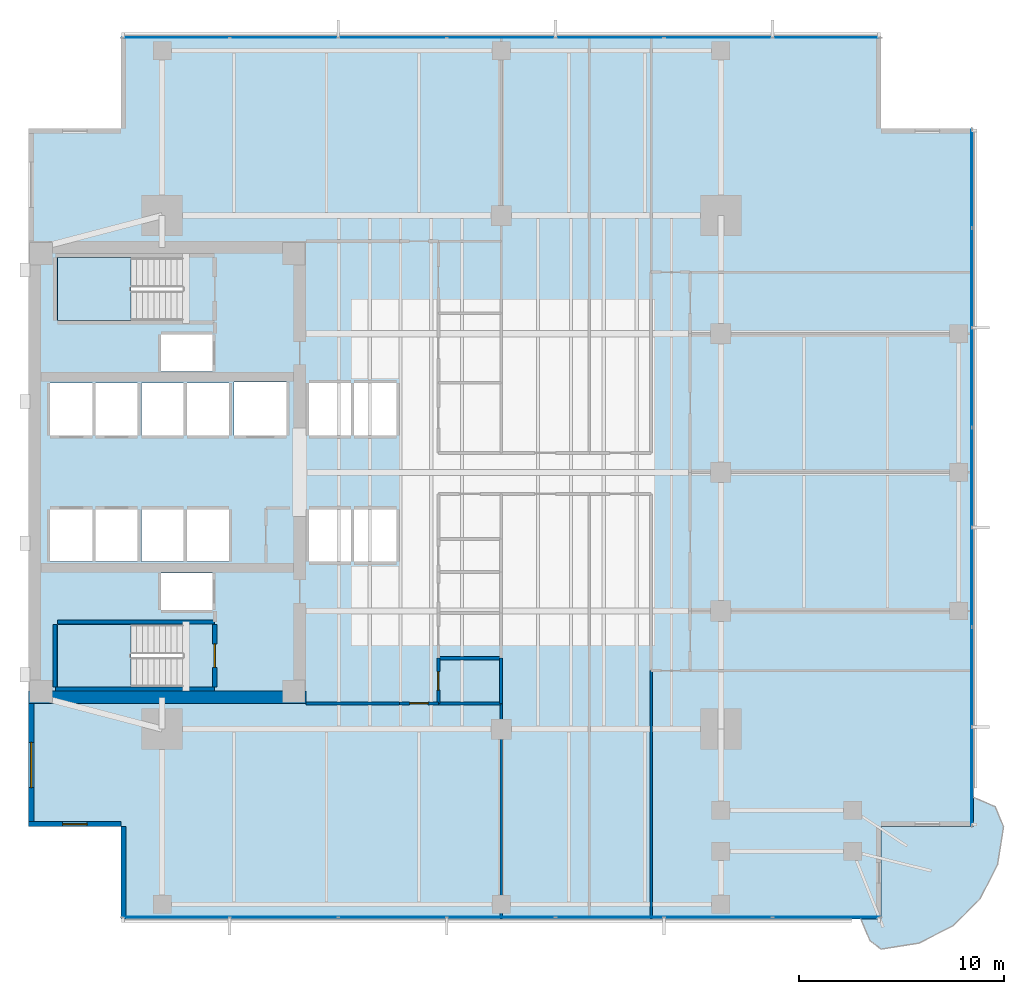
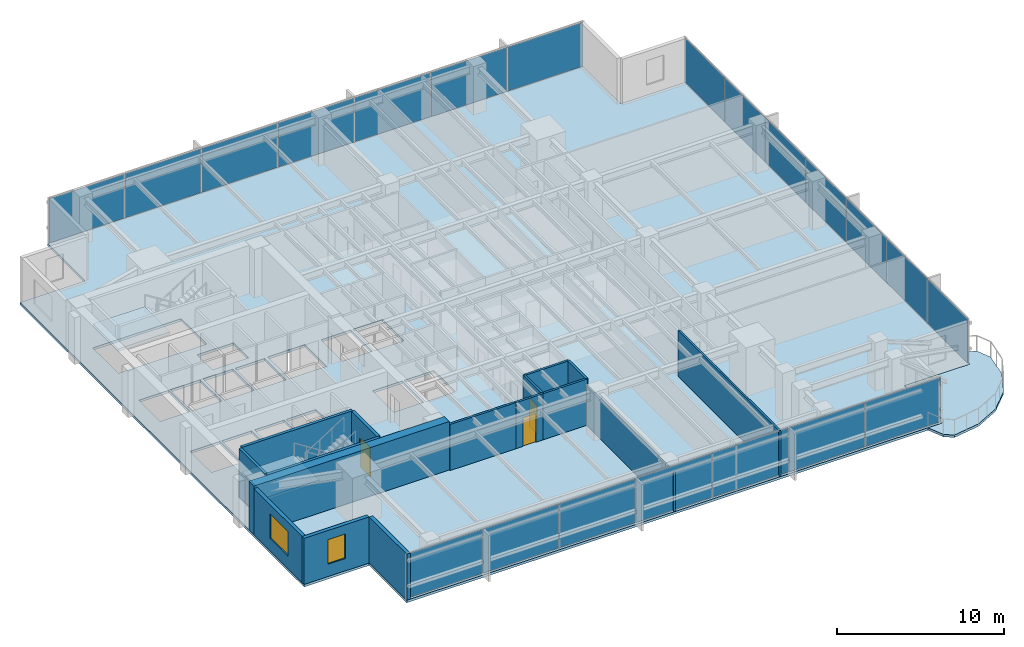
# One storey, part 7 of 14: 21 plates, 16 walls, 4 slabs, 3 doors, 2 windows, 5 openings, 5 elements without a shape of their own.
"""IFC4 building model written with IfcOpenShell, lengths in metres."""

from ifc_helpers import new_model, si_unit, direction, frame, frame_2d, origin, origin_2d, place, context, subcontext, project, spatial, polyline, rectangle, outline, extrude, material, layer, layer_set, type_object, element, fill, aggregate, save


model = new_model("IFC4")

# Units and contexts
model_context = context("Model", 3, precision=1e-05, world=origin(), true_north=direction((0.0, 1.0)))
body_context = subcontext(model_context, "Body", "Model", "MODEL_VIEW")
ifc_project = project(units=[si_unit("LENGTHUNIT", "METRE"), si_unit("AREAUNIT", "SQUARE_METRE"), si_unit("VOLUMEUNIT", "CUBIC_METRE"), si_unit("PLANEANGLEUNIT", "RADIAN"), si_unit("MASSUNIT", "GRAM", prefix="KILO")], contexts=[model_context])

# Site, building, storey
site_placement = place(None, origin())
site = spatial("IfcSite", under=ifc_project, at=site_placement, CompositionType="ELEMENT")
building_placement = place(site_placement, origin())
building = spatial("IfcBuilding", under=site, at=building_placement, Name="Kinhvarn Gate Tower", CompositionType="ELEMENT")
storey_placement = place(building_placement, frame((0.0, 0.0, 102.25)))
storey = spatial("IfcBuildingStorey", under=building, at=storey_placement, Name="L26", CompositionType="ELEMENT", Elevation=102.25)

# Curtain wall, plates
ifc_material_1 = material(Name="Anodised aluminium AW-6063", Category="aluminium")
ifc_layer_1 = layer(ifc_material_1, 0.179931640625)
ifc_layer_set_1 = layer_set([ifc_layer_1], Name="Anodised aluminium AW-6063")
curtain_wall_type = type_object("IfcCurtainWallType", Name="CW-SYS-3", PredefinedType="NOTDEFINED", material=ifc_layer_set_1)
curtain_wall_1_placement = place(storey_placement, origin())
curtain_wall_1 = element("IfcCurtainWall", 1, at=curtain_wall_1_placement, inside=storey, type_object=curtain_wall_type, Name="Curtain Wall CW3 (L26)", PredefinedType="NOTDEFINED")
ifc_material_2 = material(Name="Clear low-e double glazing", Category="glass")
ifc_layer_2 = layer(ifc_material_2, 0.031982421875)
ifc_layer_set_2 = layer_set([ifc_layer_2], Name="Clear low-e double glazing")
plate_type = type_object("IfcPlateType", Name="CW-PNL-VIS", PredefinedType="CURTAIN_PANEL", material=ifc_layer_set_2)
plate_1_placement = place(storey_placement, frame((11.6591796875, 3.590087890625, 0.070068359375), z_axis=(0.0, 0.0, 1.0), x_axis=(1.0, 0.0, 0.0)))
plate_1 = element("IfcPlate", 2, at=plate_1_placement, type_object=plate_type, Name="CW3 panel 1.1", PredefinedType="CURTAIN_PANEL", context=body_context, shape_type="SweptSolid", body=[
    extrude(rectangle(XDim=5.188232421875, YDim=0.031982421875, at=origin_2d()), origin(), (0.0, 0.0, 1.0), 3.22998046875),
])
plate_2_placement = place(storey_placement, frame((16.928466796875, 3.590087890625, 0.070068359375), z_axis=(0.0, 0.0, 1.0), x_axis=(1.0, 0.0, 0.0)))
plate_2 = element("IfcPlate", 3, at=plate_2_placement, type_object=plate_type, Name="CW3 panel 2.1", PredefinedType="CURTAIN_PANEL", context=body_context, shape_type="SweptSolid", body=[
    extrude(rectangle(XDim=5.220703125, YDim=0.031982421875, at=origin_2d()), origin(), (0.0, 0.0, 1.0), 3.22998046875),
])
plate_3_placement = place(storey_placement, frame((22.21435546875, 3.590087890625, 0.070068359375), z_axis=(0.0, 0.0, 1.0), x_axis=(1.0, 0.0, 0.0)))
plate_3 = element("IfcPlate", 4, at=plate_3_placement, type_object=plate_type, Name="CW3 panel 3.1", PredefinedType="CURTAIN_PANEL", context=body_context, shape_type="SweptSolid", body=[
    extrude(rectangle(XDim=5.220703125, YDim=0.031982421875, at=origin_2d()), origin(), (0.0, 0.0, 1.0), 3.22998046875),
])
plate_4_placement = place(storey_placement, frame((27.5, 3.590087890625, 0.070068359375), z_axis=(0.0, 0.0, 1.0), x_axis=(1.0, 0.0, 0.0)))
plate_4 = element("IfcPlate", 5, at=plate_4_placement, type_object=plate_type, Name="CW3 panel 4.1", PredefinedType="CURTAIN_PANEL", context=body_context, shape_type="SweptSolid", body=[
    extrude(rectangle(XDim=5.220703125, YDim=0.031982421875, at=origin_2d()), origin(), (0.0, 0.0, 1.0), 3.22998046875),
])
plate_5_placement = place(storey_placement, frame((32.78564453125, 3.590087890625, 0.070068359375), z_axis=(0.0, 0.0, 1.0), x_axis=(1.0, 0.0, 0.0)))
plate_5 = element("IfcPlate", 6, at=plate_5_placement, type_object=plate_type, Name="CW3 panel 5.1", PredefinedType="CURTAIN_PANEL", context=body_context, shape_type="SweptSolid", body=[
    extrude(rectangle(XDim=5.220703125, YDim=0.031982421875, at=origin_2d()), origin(), (0.0, 0.0, 1.0), 3.22998046875),
])
plate_6_placement = place(storey_placement, frame((38.071533203125, 3.590087890625, 0.070068359375), z_axis=(0.0, 0.0, 1.0), x_axis=(1.0, 0.0, 0.0)))
plate_6 = element("IfcPlate", 7, at=plate_6_placement, type_object=plate_type, Name="CW3 panel 6.1", PredefinedType="CURTAIN_PANEL", context=body_context, shape_type="SweptSolid", body=[
    extrude(rectangle(XDim=5.220703125, YDim=0.031982421875, at=origin_2d()), origin(), (0.0, 0.0, 1.0), 3.22998046875),
])
plate_7_placement = place(storey_placement, frame((43.3408203125, 3.590087890625, 0.070068359375), z_axis=(0.0, 0.0, 1.0), x_axis=(1.0, 0.0, 0.0)))
plate_7 = element("IfcPlate", 8, at=plate_7_placement, type_object=plate_type, Name="CW3 panel 7.1", PredefinedType="CURTAIN_PANEL", context=body_context, shape_type="SweptSolid", body=[
    extrude(rectangle(XDim=5.188232421875, YDim=0.031982421875, at=origin_2d()), origin(), (0.0, 0.0, 1.0), 3.22998046875),
])
aggregate(curtain_wall_1, [plate_1, plate_2, plate_3, plate_4, plate_5, plate_6, plate_7])

curtain_wall_2_placement = place(storey_placement, origin())
curtain_wall_2 = element("IfcCurtainWall", 9, at=curtain_wall_2_placement, inside=storey, type_object=curtain_wall_type, Name="Curtain Wall CW3 (L26)", PredefinedType="NOTDEFINED")
plate_8_placement = place(storey_placement, frame((43.3408203125, 46.409912109375, 0.070068359375), z_axis=(0.0, 0.0, 1.0), x_axis=(-1.0, 0.0, 0.0)))
plate_8 = element("IfcPlate", 10, at=plate_8_placement, type_object=plate_type, Name="CW3 panel 1.1", PredefinedType="CURTAIN_PANEL", context=body_context, shape_type="SweptSolid", body=[
    extrude(rectangle(XDim=5.188232421875, YDim=0.031982421875, at=origin_2d()), origin(), (0.0, 0.0, 1.0), 3.22998046875),
])
plate_9_placement = place(storey_placement, frame((38.071533203125, 46.409912109375, 0.070068359375), z_axis=(0.0, 0.0, 1.0), x_axis=(-1.0, 0.0, 0.0)))
plate_9 = element("IfcPlate", 11, at=plate_9_placement, type_object=plate_type, Name="CW3 panel 2.1", PredefinedType="CURTAIN_PANEL", context=body_context, shape_type="SweptSolid", body=[
    extrude(rectangle(XDim=5.220703125, YDim=0.031982421875, at=origin_2d()), origin(), (0.0, 0.0, 1.0), 3.22998046875),
])
plate_10_placement = place(storey_placement, frame((32.78564453125, 46.409912109375, 0.070068359375), z_axis=(0.0, 0.0, 1.0), x_axis=(-1.0, 0.0, 0.0)))
plate_10 = element("IfcPlate", 12, at=plate_10_placement, type_object=plate_type, Name="CW3 panel 3.1", PredefinedType="CURTAIN_PANEL", context=body_context, shape_type="SweptSolid", body=[
    extrude(rectangle(XDim=5.220703125, YDim=0.031982421875, at=origin_2d()), origin(), (0.0, 0.0, 1.0), 3.22998046875),
])
plate_11_placement = place(storey_placement, frame((27.5, 46.409912109375, 0.070068359375), z_axis=(0.0, 0.0, 1.0), x_axis=(-1.0, 0.0, 0.0)))
plate_11 = element("IfcPlate", 13, at=plate_11_placement, type_object=plate_type, Name="CW3 panel 4.1", PredefinedType="CURTAIN_PANEL", context=body_context, shape_type="SweptSolid", body=[
    extrude(rectangle(XDim=5.220703125, YDim=0.031982421875, at=origin_2d()), origin(), (0.0, 0.0, 1.0), 3.22998046875),
])
plate_12_placement = place(storey_placement, frame((22.21435546875, 46.409912109375, 0.070068359375), z_axis=(0.0, 0.0, 1.0), x_axis=(-1.0, 0.0, 0.0)))
plate_12 = element("IfcPlate", 14, at=plate_12_placement, type_object=plate_type, Name="CW3 panel 5.1", PredefinedType="CURTAIN_PANEL", context=body_context, shape_type="SweptSolid", body=[
    extrude(rectangle(XDim=5.220703125, YDim=0.031982421875, at=origin_2d()), origin(), (0.0, 0.0, 1.0), 3.22998046875),
])
plate_13_placement = place(storey_placement, frame((16.928466796875, 46.409912109375, 0.070068359375), z_axis=(0.0, 0.0, 1.0), x_axis=(-1.0, 0.0, 0.0)))
plate_13 = element("IfcPlate", 15, at=plate_13_placement, type_object=plate_type, Name="CW3 panel 6.1", PredefinedType="CURTAIN_PANEL", context=body_context, shape_type="SweptSolid", body=[
    extrude(rectangle(XDim=5.220703125, YDim=0.031982421875, at=origin_2d()), origin(), (0.0, 0.0, 1.0), 3.22998046875),
])
plate_14_placement = place(storey_placement, frame((11.6591796875, 46.409912109375, 0.070068359375), z_axis=(0.0, 0.0, 1.0), x_axis=(-1.0, 0.0, 0.0)))
plate_14 = element("IfcPlate", 16, at=plate_14_placement, type_object=plate_type, Name="CW3 panel 7.1", PredefinedType="CURTAIN_PANEL", context=body_context, shape_type="SweptSolid", body=[
    extrude(rectangle(XDim=5.188232421875, YDim=0.031982421875, at=origin_2d()), origin(), (0.0, 0.0, 1.0), 3.22998046875),
])
aggregate(curtain_wall_2, [plate_8, plate_9, plate_10, plate_11, plate_12, plate_13, plate_14])

curtain_wall_3_placement = place(storey_placement, origin())
curtain_wall_3 = element("IfcCurtainWall", 17, at=curtain_wall_3_placement, inside=storey, type_object=curtain_wall_type, Name="Curtain Wall CW3 (L26)", PredefinedType="NOTDEFINED")
plate_15_placement = place(storey_placement, frame((50.409912109375, 10.44482421875, 0.070068359375), z_axis=(0.0, 0.0, 1.0), x_axis=(0.0, 1.0, 0.0)))
plate_15 = element("IfcPlate", 18, at=plate_15_placement, type_object=plate_type, Name="CW3 panel 1.1", PredefinedType="CURTAIN_PANEL", context=body_context, shape_type="SweptSolid", body=[
    extrude(rectangle(XDim=4.759521484375, YDim=0.031982421875, at=origin_2d()), origin(), (0.0, 0.0, 1.0), 3.22998046875),
])
plate_16_placement = place(storey_placement, frame((50.409912109375, 15.28564453125, 0.070068359375), z_axis=(0.0, 0.0, 1.0), x_axis=(0.0, 1.0, 0.0)))
plate_16 = element("IfcPlate", 19, at=plate_16_placement, type_object=plate_type, Name="CW3 panel 2.1", PredefinedType="CURTAIN_PANEL", context=body_context, shape_type="SweptSolid", body=[
    extrude(rectangle(XDim=4.792236328125, YDim=0.031982421875, at=origin_2d()), origin(), (0.0, 0.0, 1.0), 3.22998046875),
])
plate_17_placement = place(storey_placement, frame((50.409912109375, 20.142822265625, 0.070068359375), z_axis=(0.0, 0.0, 1.0), x_axis=(0.0, 1.0, 0.0)))
plate_17 = element("IfcPlate", 20, at=plate_17_placement, type_object=plate_type, Name="CW3 panel 3.1", PredefinedType="CURTAIN_PANEL", context=body_context, shape_type="SweptSolid", body=[
    extrude(rectangle(XDim=4.792236328125, YDim=0.031982421875, at=origin_2d()), origin(), (0.0, 0.0, 1.0), 3.22998046875),
])
plate_18_placement = place(storey_placement, frame((50.409912109375, 25.0, 0.070068359375), z_axis=(0.0, 0.0, 1.0), x_axis=(0.0, 1.0, 0.0)))
plate_18 = element("IfcPlate", 21, at=plate_18_placement, type_object=plate_type, Name="CW3 panel 4.1", PredefinedType="CURTAIN_PANEL", context=body_context, shape_type="SweptSolid", body=[
    extrude(rectangle(XDim=4.792236328125, YDim=0.031982421875, at=origin_2d()), origin(), (0.0, 0.0, 1.0), 3.22998046875),
])
plate_19_placement = place(storey_placement, frame((50.409912109375, 29.857177734375, 0.070068359375), z_axis=(0.0, 0.0, 1.0), x_axis=(0.0, 1.0, 0.0)))
plate_19 = element("IfcPlate", 22, at=plate_19_placement, type_object=plate_type, Name="CW3 panel 5.1", PredefinedType="CURTAIN_PANEL", context=body_context, shape_type="SweptSolid", body=[
    extrude(rectangle(XDim=4.792236328125, YDim=0.031982421875, at=origin_2d()), origin(), (0.0, 0.0, 1.0), 3.22998046875),
])
plate_20_placement = place(storey_placement, frame((50.409912109375, 34.71435546875, 0.070068359375), z_axis=(0.0, 0.0, 1.0), x_axis=(0.0, 1.0, 0.0)))
plate_20 = element("IfcPlate", 23, at=plate_20_placement, type_object=plate_type, Name="CW3 panel 6.1", PredefinedType="CURTAIN_PANEL", context=body_context, shape_type="SweptSolid", body=[
    extrude(rectangle(XDim=4.792236328125, YDim=0.031982421875, at=origin_2d()), origin(), (0.0, 0.0, 1.0), 3.22998046875),
])
plate_21_placement = place(storey_placement, frame((50.409912109375, 39.55517578125, 0.070068359375), z_axis=(0.0, 0.0, 1.0), x_axis=(0.0, 1.0, 0.0)))
plate_21 = element("IfcPlate", 24, at=plate_21_placement, type_object=plate_type, Name="CW3 panel 7.1", PredefinedType="CURTAIN_PANEL", context=body_context, shape_type="SweptSolid", body=[
    extrude(rectangle(XDim=4.759521484375, YDim=0.031982421875, at=origin_2d()), origin(), (0.0, 0.0, 1.0), 3.22998046875),
])
aggregate(curtain_wall_3, [plate_15, plate_16, plate_17, plate_18, plate_19, plate_20, plate_21])

# Slabs
ifc_material_3 = material(Name="Precast white architectural concrete C40/50", Category="concrete")
ifc_layer_3 = layer(ifc_material_3, 0.179931640625)
ifc_layer_set_3 = layer_set([ifc_layer_3], Name="Precast white architectural concrete C40/50")
slab_type_1 = type_object("IfcSlabType", Name="SLB-BAL-180", PredefinedType="FLOOR", material=ifc_layer_set_3)
slab_1_placement = place(storey_placement, frame((0.0, 0.0, -0.179931640625)))
element("IfcSlab", 25, at=slab_1_placement, inside=storey, type_object=slab_type_1, Name="S-Carve Curved Terrace Balcony Slab L26 (SE)", PredefinedType="FLOOR", context=body_context, shape_type="SweptSolid", body=[
    extrude(outline(polyline([(45.011962890625, 3.5), (45.4619140625, 2.4501953125), (46.0, 2.0419921875), (47.841064453125, 2.33349609375), (49.501953125, 3.179931640625), (50.820068359375, 4.498046875), (51.66650390625, 6.158935546875), (51.9580078125, 8.0), (51.5498046875, 8.97509765625), (50.5, 9.425048828125), (50.5, 8.0), (46.0, 8.0), (46.0, 3.5), (45.011962890625, 3.5)])), origin(), (0.0, 0.0, 1.0), 0.179931640625),
])
ifc_material_4 = material(Name="Concrete C40/50", Category="concrete")
ifc_layer_4 = layer(ifc_material_4, 0.179931640625)
ifc_layer_set_4 = layer_set([ifc_layer_4], Name="Concrete C40/50")
slab_type_2 = type_object("IfcSlabType", Name="SLB-FLR-180", PredefinedType="FLOOR", material=ifc_layer_set_4)
slab_2_placement = place(storey_placement, frame((0.0, 0.0, -0.179931640625)))
element("IfcSlab", 26, at=slab_2_placement, inside=storey, type_object=slab_type_2, Name="Suspended Floor Slab L26", PredefinedType="FLOOR", context=body_context, shape_type="SweptSolid", body=[
    extrude(outline(polyline([(9.0, 3.5), (46.0, 3.5), (46.0, 8.0), (50.5, 8.0), (50.5, 42.0), (46.0, 42.0), (46.0, 46.5), (9.0, 46.5), (9.0, 42.0), (4.5, 42.0), (4.5, 8.0), (9.0, 8.0), (9.0, 3.5)]), holes=[polyline([(5.89990234375, 14.800048828125), (12.0, 14.800048828125), (12.0, 17.85009765625), (5.89990234375, 17.85009765625), (5.89990234375, 14.800048828125)]), polyline([(5.89990234375, 32.64990234375), (12.0, 32.64990234375), (12.0, 35.699951171875), (5.89990234375, 35.699951171875), (5.89990234375, 32.64990234375)]), polyline([(18.14990234375, 20.89990234375), (20.199951171875, 20.89990234375), (20.199951171875, 23.449951171875), (18.14990234375, 23.449951171875), (18.14990234375, 20.89990234375)]), polyline([(20.35009765625, 20.89990234375), (22.39990234375, 20.89990234375), (22.39990234375, 23.449951171875), (20.35009765625, 23.449951171875), (20.35009765625, 20.89990234375)]), polyline([(18.14990234375, 27.050048828125), (20.199951171875, 27.050048828125), (20.199951171875, 29.60009765625), (18.14990234375, 29.60009765625), (18.14990234375, 27.050048828125)]), polyline([(20.35009765625, 27.050048828125), (22.39990234375, 27.050048828125), (22.39990234375, 29.60009765625), (20.35009765625, 29.60009765625), (20.35009765625, 27.050048828125)]), polyline([(5.550048828125, 20.89990234375), (7.60009765625, 20.89990234375), (7.60009765625, 23.449951171875), (5.550048828125, 23.449951171875), (5.550048828125, 20.89990234375)]), polyline([(7.75, 20.89990234375), (9.800048828125, 20.89990234375), (9.800048828125, 23.449951171875), (7.75, 23.449951171875), (7.75, 20.89990234375)]), polyline([(5.550048828125, 27.050048828125), (7.60009765625, 27.050048828125), (7.60009765625, 29.60009765625), (5.550048828125, 29.60009765625), (5.550048828125, 27.050048828125)]), polyline([(7.75, 27.050048828125), (9.800048828125, 27.050048828125), (9.800048828125, 29.60009765625), (7.75, 29.60009765625), (7.75, 27.050048828125)]), polyline([(10.0, 20.89990234375), (12.050048828125, 20.89990234375), (12.050048828125, 23.449951171875), (10.0, 23.449951171875), (10.0, 20.89990234375)]), polyline([(12.199951171875, 20.89990234375), (14.25, 20.89990234375), (14.25, 23.449951171875), (12.199951171875, 23.449951171875), (12.199951171875, 20.89990234375)]), polyline([(10.0, 27.050048828125), (12.050048828125, 27.050048828125), (12.050048828125, 29.60009765625), (10.0, 29.60009765625), (10.0, 27.050048828125)]), polyline([(12.199951171875, 27.050048828125), (14.25, 27.050048828125), (14.25, 29.60009765625), (12.199951171875, 29.60009765625), (12.199951171875, 27.050048828125)]), polyline([(14.5, 27.050048828125), (17.050048828125, 27.050048828125), (17.050048828125, 29.64990234375), (14.5, 29.64990234375), (14.5, 27.050048828125)]), polyline([(10.949951171875, 18.550048828125), (13.449951171875, 18.550048828125), (13.449951171875, 20.35009765625), (10.949951171875, 20.35009765625), (10.949951171875, 18.550048828125)]), polyline([(10.949951171875, 30.14990234375), (13.449951171875, 30.14990234375), (13.449951171875, 31.949951171875), (10.949951171875, 31.949951171875), (10.949951171875, 30.14990234375)])]), origin(), (0.0, 0.0, 1.0), 0.179931640625),
])

# Stair, slab
stair_type = type_object("IfcStairType", Name="STR-DLG-177", PredefinedType="HALF_TURN_STAIR", material=ifc_material_4)
stair_1_placement = place(storey_placement, origin())
stair_1 = element("IfcStair", 27, at=stair_1_placement, inside=storey, type_object=stair_type, Name="L26 Core Smokeproof Exit Stair ST1", PredefinedType="HALF_TURN_STAIR")
ifc_layer_5 = layer(ifc_material_4, 0.199951171875)
ifc_layer_set_5 = layer_set([ifc_layer_5], Name="Concrete C40/50")
slab_type_3 = type_object("IfcSlabType", Name="SLB-ST-LND", PredefinedType="LANDING", material=ifc_layer_set_5)
slab_3_placement = place(storey_placement, frame((0.0, 0.0, 1.574951171875)))
slab_3 = element("IfcSlab", 28, at=slab_3_placement, type_object=slab_type_3, Name="ST1 landing 1", PredefinedType="LANDING", context=body_context, shape_type="SweptSolid", body=[
    extrude(outline(polyline([(9.47998046875, 17.85009765625), (5.89990234375, 17.85009765625), (5.89990234375, 14.800048828125), (9.47998046875, 14.800048828125), (9.47998046875, 17.85009765625)])), origin(), (0.0, 0.0, 1.0), 0.199951171875),
])
aggregate(stair_1, [slab_3])

stair_2_placement = place(storey_placement, origin())
stair_2 = element("IfcStair", 29, at=stair_2_placement, inside=storey, type_object=stair_type, Name="L26 Core Smokeproof Exit Stair ST2", PredefinedType="HALF_TURN_STAIR")
slab_4_placement = place(storey_placement, frame((0.0, 0.0, 1.574951171875)))
slab_4 = element("IfcSlab", 30, at=slab_4_placement, type_object=slab_type_3, Name="ST2 landing 1", PredefinedType="LANDING", context=body_context, shape_type="SweptSolid", body=[
    extrude(outline(polyline([(9.47998046875, 35.699951171875), (5.89990234375, 35.699951171875), (5.89990234375, 32.64990234375), (9.47998046875, 32.64990234375), (9.47998046875, 35.699951171875)])), origin(), (0.0, 0.0, 1.0), 0.199951171875),
])
aggregate(stair_2, [slab_4])

# Wall
ifc_material_5 = material(Name="Concrete C60/75", Category="concrete")
ifc_layer_6 = layer(ifc_material_5, 0.60009765625)
ifc_layer_set_6 = layer_set([ifc_layer_6], Name="Concrete C60/75")
wall_type_1 = type_object("IfcWallType", Name="WL-CORE-600", PredefinedType="SHEAR", material=ifc_layer_set_6)
wall_1_placement = place(storey_placement, frame((4.5, 14.300048828125, 0.0), z_axis=(0.0, 0.0, 1.0), x_axis=(1.0, 0.0, 0.0)))
element("IfcWall", 31, at=wall_1_placement, inside=storey, type_object=wall_type_1, Name="Core South Shear Wall L26 600 mm", PredefinedType="SHEAR", context=body_context, shape_type="SweptSolid", body=[
    extrude(rectangle(XDim=13.5, YDim=0.60009765625, at=frame_2d((6.75, 0.0))), origin(), (0.0, 0.0, 1.0), 3.550048828125),
])

# Wall, opening, window
ifc_material_6 = material(Name="Fired architectural terracotta", Category="masonry")
ifc_layer_7 = layer(ifc_material_6, 0.25)
ifc_layer_set_7 = layer_set([ifc_layer_7], Name="Fired architectural terracotta")
wall_type_2 = type_object("IfcWallType", Name="WL-EXT-250", PredefinedType="SOLIDWALL", material=ifc_layer_set_7)
wall_2_placement = place(storey_placement, frame((4.625, 14.0, 0.0), z_axis=(0.0, 0.0, 1.0), x_axis=(0.0, -1.0, 0.0)))
wall_2 = element("IfcWall", 32, at=wall_2_placement, inside=storey, type_object=wall_type_2, Name="Exterior Solidwall Wall EW-250 (L26 West-South)", PredefinedType="SOLIDWALL", context=body_context, shape_type="SweptSolid", body=[
    extrude(rectangle(XDim=6.0, YDim=0.25, at=frame_2d((3.0, 0.0))), origin(), (0.0, 0.0, 1.0), 3.3701171875),
])
opening_1_placement = place(wall_2_placement, frame((1.89990234375, 0.0, 0.89990234375)))
opening_1 = element("IfcOpeningElement", 33, at=opening_1_placement, cuts=wall_2, Name="Opening WN-01", PredefinedType="OPENING", context=body_context, shape_type="SweptSolid", body=[
    extrude(rectangle(XDim=2.199951171875, YDim=1.800048828125, at=frame_2d((1.10009765625, 0.89990234375))), frame((0.0, 0.135009765625, 0.0), z_axis=(0.0, -1.0, 0.0), x_axis=(1.0, 0.0, 0.0)), (0.0, 0.0, 1.0), 0.27001953125),
])
window_type_1 = type_object("IfcWindowType", Name="WIN-RIB-2200", PartitioningType="SINGLE_PANEL", PredefinedType="WINDOW", material=ifc_material_2)
window_1_placement = place(opening_1_placement, origin())
window_1 = element("IfcWindow", 34, at=window_1_placement, inside=storey, type_object=window_type_1, Name="West Flank Double-Glazed Ribbon Window 2200x1800 mm (L26)", OverallHeight=1.800048828125, OverallWidth=2.199951171875, PartitioningType="SINGLE_PANEL", PredefinedType="WINDOW", context=body_context, shape_type="SweptSolid", body=[
    extrude(rectangle(XDim=2.199951171875, YDim=1.800048828125, at=frame_2d((1.10009765625, 0.89990234375))), frame((0.0, 0.030029296875, 0.0), z_axis=(0.0, -1.0, 0.0), x_axis=(1.0, 0.0, 0.0)), (0.0, 0.0, 1.0), 0.06005859375),
])
fill(opening_1, window_1)

wall_3_placement = place(storey_placement, frame((4.5, 8.125, 0.0), z_axis=(0.0, 0.0, 1.0), x_axis=(1.0, 0.0, 0.0)))
wall_3 = element("IfcWall", 35, at=wall_3_placement, inside=storey, type_object=wall_type_2, Name="Exterior Solidwall Wall EW-250 (L26 SW-Notch-1)", PredefinedType="SOLIDWALL", context=body_context, shape_type="SweptSolid", body=[
    extrude(rectangle(XDim=4.5, YDim=0.25, at=frame_2d((2.25, 0.0))), origin(), (0.0, 0.0, 1.0), 3.3701171875),
])
opening_2_placement = place(wall_3_placement, frame((1.64990234375, 0.0, 0.89990234375)))
opening_2 = element("IfcOpeningElement", 36, at=opening_2_placement, cuts=wall_3, Name="Opening WN-02", PredefinedType="OPENING", context=body_context, shape_type="SweptSolid", body=[
    extrude(rectangle(XDim=1.199951171875, YDim=1.800048828125, at=frame_2d((0.60009765625, 0.89990234375))), frame((0.0, 0.135009765625, 0.0), z_axis=(0.0, -1.0, 0.0), x_axis=(1.0, 0.0, 0.0)), (0.0, 0.0, 1.0), 0.27001953125),
])
window_type_2 = type_object("IfcWindowType", Name="WIN-NTC-1200", PartitioningType="SINGLE_PANEL", PredefinedType="WINDOW", material=ifc_material_2)
window_2_placement = place(opening_2_placement, origin())
window_2 = element("IfcWindow", 37, at=window_2_placement, inside=storey, type_object=window_type_2, Name="Recessed Corner Notch Punched Window 1200x1800 mm (L26)", OverallHeight=1.800048828125, OverallWidth=1.199951171875, PartitioningType="SINGLE_PANEL", PredefinedType="WINDOW", context=body_context, shape_type="SweptSolid", body=[
    extrude(rectangle(XDim=1.199951171875, YDim=1.800048828125, at=frame_2d((0.60009765625, 0.89990234375))), frame((0.0, 0.030029296875, 0.0), z_axis=(0.0, -1.0, 0.0), x_axis=(1.0, 0.0, 0.0)), (0.0, 0.0, 1.0), 0.06005859375),
])
fill(opening_2, window_2)

# Walls
wall_4_placement = place(storey_placement, frame((9.125, 8.0, 0.0), z_axis=(0.0, 0.0, 1.0), x_axis=(0.0, -1.0, 0.0)))
element("IfcWall", 38, at=wall_4_placement, inside=storey, type_object=wall_type_2, Name="Exterior Solidwall Wall EW-250 (L26 SW-Notch-2)", PredefinedType="SOLIDWALL", context=body_context, shape_type="SweptSolid", body=[
    extrude(rectangle(XDim=4.5, YDim=0.25, at=frame_2d((2.25, 0.0))), origin(), (0.0, 0.0, 1.0), 3.3701171875),
])
ifc_material_7 = material(Name="Gypsum acoustic partition board")
ifc_layer_8 = layer(ifc_material_7, 0.14990234375)
ifc_layer_set_8 = layer_set([ifc_layer_8], Name="Gypsum acoustic partition board")
wall_type_3 = type_object("IfcWallType", Name="WL-PLM-150", PredefinedType="PLUMBINGWALL", material=ifc_layer_set_8)
for number, where, z_axis, x_axis, name in (
    (39, (24.449951171875, 16.199951171875, 0.0), (0.0, 0.0, 1.0), (1.0, 0.0, 0.0), "Interior Partition PLW-150 (L26)"),
    (40, (24.449951171875, 14.0, 0.0), (0.0, 0.0, 1.0), (1.0, 0.0, 0.0), "Interior Partition PLW-150 (L26)"),
):
    element("IfcWall", number, at=place(storey_placement, frame(where, z_axis=z_axis, x_axis=x_axis)), inside=storey, type_object=wall_type_3, Name=name, PredefinedType="PLUMBINGWALL", context=body_context, shape_type="SweptSolid", body=[
        extrude(rectangle(XDim=3.050048828125, YDim=0.14990234375, at=frame_2d((1.52490234375, 0.0))), origin(), (0.0, 0.0, 1.0), 3.3701171875),
    ])
wall_5_placement = place(storey_placement, frame((27.5, 14.0, 0.0), z_axis=(0.0, 0.0, 1.0), x_axis=(0.0, 1.0, 0.0)))
element("IfcWall", 41, at=wall_5_placement, inside=storey, type_object=wall_type_3, Name="Interior Partition PLW-150 (L26)", PredefinedType="PLUMBINGWALL", context=body_context, shape_type="SweptSolid", body=[
    extrude(rectangle(XDim=2.199951171875, YDim=0.14990234375, at=frame_2d((1.10009765625, 0.0))), origin(), (0.0, 0.0, 1.0), 3.3701171875),
])

# Wall, opening, door
ifc_layer_9 = layer(ifc_material_7, 0.14990234375)
ifc_layer_set_9 = layer_set([ifc_layer_9], Name="Gypsum acoustic partition board")
wall_type_4 = type_object("IfcWallType", Name="WL-PLM-150F", PredefinedType="PLUMBINGWALL", material=ifc_layer_set_9)
wall_6_placement = place(storey_placement, frame((24.449951171875, 14.0, 0.0), z_axis=(0.0, 0.0, 1.0), x_axis=(0.0, 1.0, 0.0)))
wall_6 = element("IfcWall", 42, at=wall_6_placement, inside=storey, type_object=wall_type_4, Name="Interior Partition PLW-150F (L26)", PredefinedType="PLUMBINGWALL", context=body_context, shape_type="SweptSolid", body=[
    extrude(rectangle(XDim=2.199951171875, YDim=0.14990234375, at=frame_2d((1.10009765625, 0.0))), origin(), (0.0, 0.0, 1.0), 3.3701171875),
])
opening_3_placement = place(wall_6_placement, frame((0.64990234375, 0.0, 0.0)))
opening_3 = element("IfcOpeningElement", 43, at=opening_3_placement, cuts=wall_6, Name="Opening FD-04", PredefinedType="OPENING", context=body_context, shape_type="SweptSolid", body=[
    extrude(rectangle(XDim=0.89990234375, YDim=2.10009765625, at=frame_2d((0.449951171875, 1.050048828125))), frame((0.0, 0.0849609375, 0.0), z_axis=(0.0, -1.0, 0.0), x_axis=(1.0, 0.0, 0.0)), (0.0, 0.0, 1.0), 0.169921875),
])
door_type_1 = type_object("IfcDoorType", Name="DR-FD-900", OperationType="NOTDEFINED", PredefinedType="DOOR", material=ifc_material_1)
door_1_placement = place(opening_3_placement, origin())
door_1 = element("IfcDoor", 44, at=door_1_placement, inside=storey, type_object=door_type_1, Name="Rated Riser & Service Closet Fire Door 900x2100 mm (L26)", OperationType="SINGLE_SWING_RIGHT", OverallHeight=2.10009765625, OverallWidth=0.89990234375, PredefinedType="DOOR", context=body_context, shape_type="SweptSolid", body=[
    extrude(rectangle(XDim=0.89990234375, YDim=2.10009765625, at=frame_2d((0.449951171875, 1.050048828125))), frame((0.0, 0.02490234375, 0.0), z_axis=(0.0, -1.0, 0.0), x_axis=(1.0, 0.0, 0.0)), (0.0, 0.0, 1.0), 0.050048828125),
])
fill(opening_3, door_1)

# Walls
ifc_layer_10 = layer(ifc_material_7, 0.1201171875)
ifc_layer_set_10 = layer_set([ifc_layer_10], Name="Gypsum acoustic partition board")
wall_type_5 = type_object("IfcWallType", Name="WL-PRT-120", PredefinedType="PARTITIONING", material=ifc_layer_set_10)
wall_7_placement = place(storey_placement, frame((27.5, 3.510009765625, 0.0), z_axis=(0.0, 0.0, 1.0), x_axis=(0.0, 1.0, 0.0)))
element("IfcWall", 45, at=wall_7_placement, inside=storey, type_object=wall_type_5, Name="Interior Partition PW-120 (L26)", PredefinedType="PARTITIONING", context=body_context, shape_type="SweptSolid", body=[
    extrude(rectangle(XDim=10.489990234375, YDim=0.1201171875, at=frame_2d((5.2451171875, 0.0))), origin(), (0.0, 0.0, 1.0), 2.8701171875),
])
wall_8_placement = place(storey_placement, frame((34.800048828125, 3.510009765625, 0.0), z_axis=(0.0, 0.0, 1.0), x_axis=(0.0, 1.0, 0.0)))
element("IfcWall", 46, at=wall_8_placement, inside=storey, type_object=wall_type_5, Name="Interior Partition PW-120 (L26)", PredefinedType="PARTITIONING", context=body_context, shape_type="SweptSolid", body=[
    extrude(rectangle(XDim=12.090087890625, YDim=0.1201171875, at=frame_2d((6.044921875, 0.0))), origin(), (0.0, 0.0, 1.0), 3.3701171875),
])
ifc_layer_11 = layer(ifc_material_7, 0.14990234375)
ifc_layer_set_11 = layer_set([ifc_layer_11], Name="Gypsum acoustic partition board")
wall_type_6 = type_object("IfcWallType", Name="WL-PRT-150F", PredefinedType="PARTITIONING", material=ifc_layer_set_11)
wall_9_placement = place(storey_placement, frame((18.0, 14.0, 0.0), z_axis=(0.0, 0.0, 1.0), x_axis=(1.0, 0.0, 0.0)))
element("IfcWall", 47, at=wall_9_placement, inside=storey, type_object=wall_type_6, Name="Interior Partition PW-150F (L26)", PredefinedType="PARTITIONING", context=body_context, shape_type="SweptSolid", body=[
    extrude(rectangle(XDim=4.550048828125, YDim=0.14990234375, at=frame_2d((2.27490234375, 0.0))), origin(), (0.0, 0.0, 1.0), 3.3701171875),
])

# Wall, opening, door
wall_10_placement = place(storey_placement, frame((22.550048828125, 14.0, 0.0), z_axis=(0.0, 0.0, 1.0), x_axis=(1.0, 0.0, 0.0)))
wall_10 = element("IfcWall", 48, at=wall_10_placement, inside=storey, type_object=wall_type_6, Name="Interior Partition PW-150F (L26)", PredefinedType="PARTITIONING", context=body_context, shape_type="SweptSolid", body=[
    extrude(rectangle(XDim=1.89990234375, YDim=0.14990234375, at=frame_2d((0.949951171875, 0.0))), origin(), (0.0, 0.0, 1.0), 3.3701171875),
])
opening_4_placement = place(wall_10_placement, frame((0.5, 0.0, 0.0)))
opening_4 = element("IfcOpeningElement", 49, at=opening_4_placement, cuts=wall_10, Name="Opening ID-03", PredefinedType="OPENING", context=body_context, shape_type="SweptSolid", body=[
    extrude(rectangle(XDim=0.89990234375, YDim=2.10009765625, at=frame_2d((0.449951171875, 1.050048828125))), frame((0.0, 0.0849609375, 0.0), z_axis=(0.0, -1.0, 0.0), x_axis=(1.0, 0.0, 0.0)), (0.0, 0.0, 1.0), 0.169921875),
])
door_type_2 = type_object("IfcDoorType", Name="DR-INT-900", OperationType="NOTDEFINED", PredefinedType="DOOR", material=ifc_material_1)
door_2_placement = place(opening_4_placement, origin())
door_2 = element("IfcDoor", 50, at=door_2_placement, inside=storey, type_object=door_type_2, Name="Cellular Office & Restroom Door 900x2100 mm (L26)", OperationType="SINGLE_SWING_LEFT", OverallHeight=2.10009765625, OverallWidth=0.89990234375, PredefinedType="DOOR", context=body_context, shape_type="SweptSolid", body=[
    extrude(rectangle(XDim=0.89990234375, YDim=2.10009765625, at=frame_2d((0.449951171875, 1.050048828125))), frame((0.0, 0.02490234375, 0.0), z_axis=(0.0, -1.0, 0.0), x_axis=(1.0, 0.0, 0.0)), (0.0, 0.0, 1.0), 0.050048828125),
])
fill(opening_4, door_2)

# Walls
ifc_layer_12 = layer(ifc_material_4, 0.199951171875)
ifc_layer_set_12 = layer_set([ifc_layer_12], Name="Concrete C40/50")
wall_type_7 = type_object("IfcWallType", Name="WL-SHF-200", PredefinedType="SOLIDWALL", material=ifc_layer_set_12)
wall_11_placement = place(storey_placement, frame((5.800048828125, 14.699951171875, 0.0), z_axis=(0.0, 0.0, 1.0), x_axis=(1.0, 0.0, 0.0)))
element("IfcWall", 51, at=wall_11_placement, inside=storey, type_object=wall_type_7, Name="Stair ST1 South Shaft Wall (L26)", PredefinedType="SOLIDWALL", context=body_context, shape_type="SweptSolid", body=[
    extrude(rectangle(XDim=7.75, YDim=0.199951171875, at=frame_2d((3.875, 0.0))), origin(), (0.0, 0.0, 1.0), 3.550048828125),
])
wall_12_placement = place(storey_placement, frame((5.7900390625, 14.800048828125, 0.0), z_axis=(0.0, 0.0, 1.0), x_axis=(0.0, 1.0, 0.0)))
element("IfcWall", 52, at=wall_12_placement, inside=storey, type_object=wall_type_7, Name="Stair ST1 West Shaft Wall (L26)", PredefinedType="SOLIDWALL", context=body_context, shape_type="SweptSolid", body=[
    extrude(rectangle(XDim=3.050048828125, YDim=0.199951171875, at=frame_2d((1.52490234375, 0.0))), origin(), (0.0, 0.0, 1.0), 3.550048828125),
])
wall_13_placement = place(storey_placement, frame((5.89990234375, 17.9599609375, 0.0), z_axis=(0.0, 0.0, 1.0), x_axis=(1.0, 0.0, 0.0)))
element("IfcWall", 53, at=wall_13_placement, inside=storey, type_object=wall_type_7, Name="Stair ST1 North Shaft Wall (L26)", PredefinedType="SOLIDWALL", context=body_context, shape_type="SweptSolid", body=[
    extrude(rectangle(XDim=7.66015625, YDim=0.199951171875, at=frame_2d((3.830078125, 0.0))), origin(), (0.0, 0.0, 1.0), 3.550048828125),
])

# Wall, opening, door
wall_14_placement = place(storey_placement, frame((13.56005859375, 14.800048828125, 0.0), z_axis=(0.0, 0.0, 1.0), x_axis=(0.0, 1.0, 0.0)))
wall_14 = element("IfcWall", 54, at=wall_14_placement, inside=storey, type_object=wall_type_7, Name="Stair ST1 East Entry Wall (L26)", PredefinedType="SOLIDWALL", context=body_context, shape_type="SweptSolid", body=[
    extrude(rectangle(XDim=3.050048828125, YDim=0.199951171875, at=frame_2d((1.52490234375, 0.0))), origin(), (0.0, 0.0, 1.0), 3.550048828125),
])
opening_5_placement = place(wall_14_placement, frame((0.949951171875, 0.0, 0.0)))
opening_5 = element("IfcOpeningElement", 55, at=opening_5_placement, cuts=wall_14, Name="Opening FD-01", PredefinedType="OPENING", context=body_context, shape_type="SweptSolid", body=[
    extrude(rectangle(XDim=1.14990234375, YDim=2.14990234375, at=frame_2d((0.574951171875, 1.074951171875))), frame((0.0, 0.10986328125, 0.0), z_axis=(0.0, -1.0, 0.0), x_axis=(1.0, 0.0, 0.0)), (0.0, 0.0, 1.0), 0.219970703125),
])
door_type_3 = type_object("IfcDoorType", Name="DR-ST-1150", OperationType="NOTDEFINED", PredefinedType="DOOR", material=ifc_material_1)
door_3_placement = place(opening_5_placement, origin())
door_3 = element("IfcDoor", 56, at=door_3_placement, inside=storey, type_object=door_type_3, Name="Exit Stair ST1 Fire Door (L26)", OperationType="SINGLE_SWING_RIGHT", OverallHeight=2.14990234375, OverallWidth=1.14990234375, PredefinedType="DOOR", context=body_context, shape_type="SweptSolid", body=[
    extrude(rectangle(XDim=1.14990234375, YDim=2.14990234375, at=frame_2d((0.574951171875, 1.074951171875))), frame((0.0, 0.02490234375, 0.0), z_axis=(0.0, -1.0, 0.0), x_axis=(1.0, 0.0, 0.0)), (0.0, 0.0, 1.0), 0.050048828125),
])
fill(opening_5, door_3)

save(model, "model.ifc")
